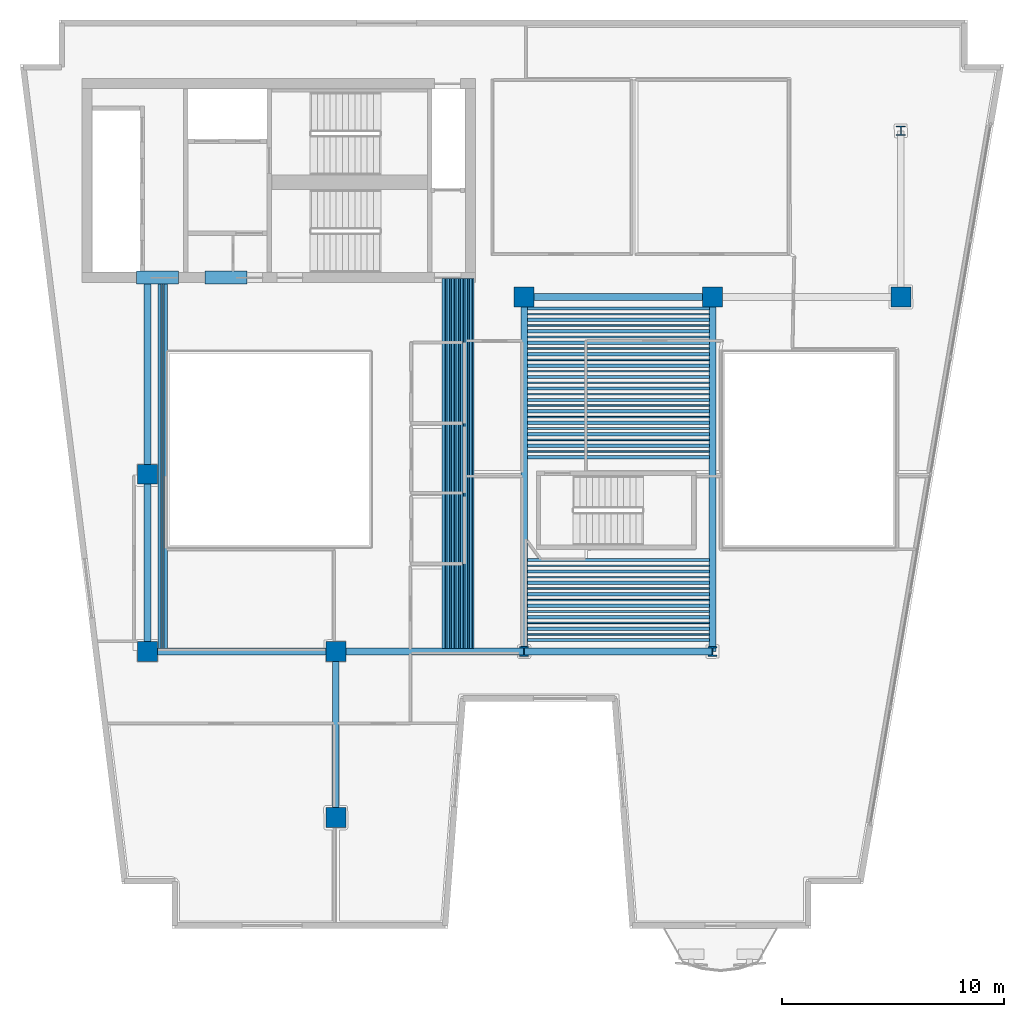
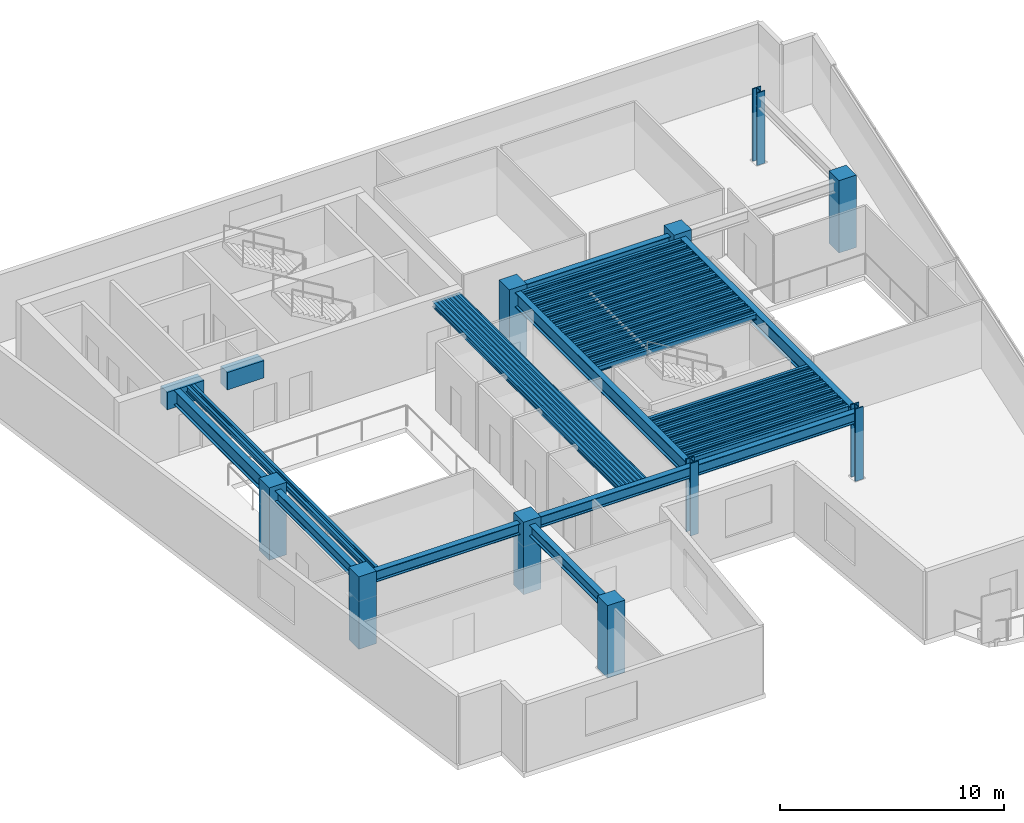
# One storey, part 1 of 10: 70 beams, 10 columns.
"""IFC4 building model written with IfcOpenShell, lengths in metres."""

from ifc_helpers import new_model, si_unit, direction, frame, origin, origin_2d, place, context, subcontext, project, spatial, rectangle, hollow_rectangle, i_section, extrude, material, material_profile, profile_set, type_object, element, save


model = new_model("IFC4")

# Units and contexts
model_context = context("Model", 3, precision=1e-05, world=origin(), true_north=direction((0.0, 1.0)))
body_context = subcontext(model_context, "Body", "Model", "MODEL_VIEW")
ifc_project = project(units=[si_unit("LENGTHUNIT", "METRE"), si_unit("AREAUNIT", "SQUARE_METRE"), si_unit("VOLUMEUNIT", "CUBIC_METRE"), si_unit("PLANEANGLEUNIT", "RADIAN"), si_unit("MASSUNIT", "GRAM", prefix="KILO")], contexts=[model_context])

# Site, building, storey
site_placement = place(None, origin())
site = spatial("IfcSite", under=ifc_project, at=site_placement, CompositionType="ELEMENT")
building_placement = place(site_placement, origin())
building = spatial("IfcBuilding", under=site, at=building_placement, Name="Caeloran Harvest Quay", CompositionType="ELEMENT")
storey_placement = place(building_placement, frame((0.0, 0.0, 191.64990234375)))
storey = spatial("IfcBuildingStorey", under=building, at=storey_placement, Name="L45", CompositionType="ELEMENT", Elevation=191.64990234375)

# Columns
ifc_material_1 = material(Name="Concrete C60/75", Category="concrete")
ifc_material_profile_1 = material_profile(ifc_material_1, rectangle(XDim=0.89990234375, YDim=0.89990234375, at=origin_2d()), Name="RC 900x900")
ifc_profile_set_1 = profile_set([ifc_material_profile_1], Name="Concrete C60/75")
column_type_1 = type_object("IfcColumnType", Name="COL-MC-4-RC_900x900", PredefinedType="COLUMN", material=ifc_profile_set_1)
for number, where, z_axis, x_axis, name in (
    (1, (8.5, 15.0, 0.0), (0.0, 0.0, 1.0), (1.0, 0.0, 0.0), "L45 Structural Column (8.5, 15.0)"),
    (2, (8.5, 23.0, 0.0), (0.0, 0.0, 1.0), (1.0, 0.0, 0.0), "L45 Structural Column (8.5, 23.0)"),
    (3, (17.0, 7.5, 0.0), (0.0, 0.0, 1.0), (1.0, 0.0, 0.0), "L45 Structural Column (17.0, 7.5)"),
    (4, (17.0, 15.0, 0.0), (0.0, 0.0, 1.0), (1.0, 0.0, 0.0), "L45 Structural Column (17.0, 15.0)"),
    (5, (25.5, 31.0, 0.0), (0.0, 0.0, 1.0), (1.0, 0.0, 0.0), "L45 Structural Column (25.5, 31.0)"),
    (6, (34.0, 31.0, 0.0), (0.0, 0.0, 1.0), (1.0, 0.0, 0.0), "L45 Structural Column (34.0, 31.0)"),
    (7, (42.5, 31.0, 0.0), (0.0, 0.0, 1.0), (1.0, 0.0, 0.0), "L45 Structural Column (42.5, 31.0)"),
):
    element("IfcColumn", number, at=place(storey_placement, frame(where, z_axis=z_axis, x_axis=x_axis)), inside=storey, type_object=column_type_1, Name=name, PredefinedType="COLUMN", context=body_context, shape_type="SweptSolid", body=[
        extrude(rectangle(XDim=0.89990234375, YDim=0.89990234375, at=origin_2d()), origin(), (0.0, 0.0, 1.0), 3.9501953125),
    ])
ifc_material_2 = material(Name="Steel HISTAR 460", Category="steel")
ifc_material_profile_2 = material_profile(ifc_material_2, i_section(OverallWidth=0.416015625, OverallDepth=0.446044921875, WebThickness=0.0390625, FlangeThickness=0.062744140625, FilletRadius=0.014892578125, at=origin_2d()), Name="HD 400x509")
ifc_profile_set_2 = profile_set([ifc_material_profile_2], Name="Steel HISTAR 460")
column_type_2 = type_object("IfcColumnType", Name="COL-SC-4-HD_400x509", PredefinedType="COLUMN", material=ifc_profile_set_2)
for number, where, z_axis, x_axis, name in (
    (8, (25.5, 15.0, 0.0), (0.0, 0.0, 1.0), (1.0, 0.0, 0.0), "L45 Structural Column (25.5, 15.0)"),
    (9, (34.0, 15.0, 0.0), (0.0, 0.0, 1.0), (1.0, 0.0, 0.0), "L45 Structural Column (34.0, 15.0)"),
    (10, (42.5, 38.5, 0.0), (0.0, 0.0, 1.0), (1.0, 0.0, 0.0), "L45 Structural Column (42.5, 38.5)"),
):
    element("IfcColumn", number, at=place(storey_placement, frame(where, z_axis=z_axis, x_axis=x_axis)), inside=storey, type_object=column_type_2, Name=name, PredefinedType="COLUMN", context=body_context, shape_type="SweptSolid", body=[
        extrude(i_section(OverallWidth=0.416015625, OverallDepth=0.446044921875, WebThickness=0.0390625, FlangeThickness=0.062744140625, FilletRadius=0.014892578125, at=origin_2d()), origin(), (0.0, 0.0, 1.0), 3.9501953125),
    ])

# Beams
ifc_material_profile_3 = material_profile(ifc_material_1, rectangle(XDim=0.60009765625, YDim=0.949951171875, at=origin_2d()), Name="RC 600x950")
ifc_profile_set_3 = profile_set([ifc_material_profile_3], Name="Concrete C60/75")
beam_type_1 = type_object("IfcBeamType", Name="BM-CB-2-RC_600x950", PredefinedType="LINTEL", material=ifc_profile_set_3)
for number, where, z_axis, x_axis, name in (
    (11, (8.0, 31.875, 3.22509765625), (1.0, 0.0, 0.0), (0.0, 1.0, 0.0), "L45 Core Coupling Beam 1"),
    (12, (11.10009765625, 31.875, 3.22509765625), (1.0, 0.0, 0.0), (0.0, 1.0, 0.0), "L45 Core Coupling Beam 2"),
):
    element("IfcBeam", number, at=place(storey_placement, frame(where, z_axis=z_axis, x_axis=x_axis)), inside=storey, type_object=beam_type_1, Name=name, PredefinedType="LINTEL", context=body_context, shape_type="SweptSolid", body=[
        extrude(rectangle(XDim=0.60009765625, YDim=0.949951171875, at=origin_2d()), origin(), (0.0, 0.0, 1.0), 1.89990234375),
    ])
ifc_material_3 = material(Name="Steel S355J2", Category="steel")
ifc_material_profile_4 = material_profile(ifc_material_3, i_section(OverallWidth=0.300048828125, OverallDepth=0.800048828125, WebThickness=0.017578125, FlangeThickness=0.032958984375, FilletRadius=0.030029296875, at=origin_2d()), Name="HE 800 B")
ifc_profile_set_4 = profile_set([ifc_material_profile_4], Name="Steel S355J2")
beam_type_2 = type_object("IfcBeamType", Name="BM-PG-1-HE_800_B", PredefinedType="BEAM", material=ifc_profile_set_4)
beam_1_placement = place(storey_placement, frame((8.5, 23.0, 3.300048828125), z_axis=(0.0, 1.0, 0.0), x_axis=(-1.0, 0.0, 0.0)))
element("IfcBeam", 13, at=beam_1_placement, inside=storey, type_object=beam_type_2, Name="L45 Core South Tie Girder X=8.5", PredefinedType="BEAM", context=body_context, shape_type="SweptSolid", body=[
    extrude(i_section(OverallWidth=0.300048828125, OverallDepth=0.800048828125, WebThickness=0.017578125, FlangeThickness=0.032958984375, FilletRadius=0.030029296875, at=origin_2d()), origin(), (0.0, 0.0, 1.0), 8.824951171875),
])
for number, where, z_axis, x_axis, name in (
    (14, (25.5, 15.0, 3.300048828125), (0.0, 1.0, 0.0), (-1.0, 0.0, 0.0), "L45 Primary North-South Girder X=25.5"),
    (15, (34.0, 15.0, 3.300048828125), (0.0, 1.0, 0.0), (-1.0, 0.0, 0.0), "L45 Primary North-South Girder X=34.0"),
):
    element("IfcBeam", number, at=place(storey_placement, frame(where, z_axis=z_axis, x_axis=x_axis)), inside=storey, type_object=beam_type_2, Name=name, PredefinedType="BEAM", context=body_context, shape_type="SweptSolid", body=[
        extrude(i_section(OverallWidth=0.300048828125, OverallDepth=0.800048828125, WebThickness=0.017578125, FlangeThickness=0.032958984375, FilletRadius=0.030029296875, at=origin_2d()), origin(), (0.0, 0.0, 1.0), 16.0),
    ])
ifc_material_profile_5 = material_profile(ifc_material_3, i_section(OverallWidth=0.300048828125, OverallDepth=0.60009765625, WebThickness=0.015380859375, FlangeThickness=0.030029296875, FilletRadius=0.027099609375, at=origin_2d()), Name="HE 600 B")
ifc_profile_set_5 = profile_set([ifc_material_profile_5], Name="Steel S355J2")
beam_type_3 = type_object("IfcBeamType", Name="BM-PG-3-HE_600_B", PredefinedType="BEAM", material=ifc_profile_set_5)
for number, where, z_axis, x_axis, name in (
    (16, (8.5, 15.0, 3.400146484375), (1.0, 0.0, 0.0), (0.0, 1.0, 0.0), "L45 Primary East-West Girder Y=15.0"),
    (17, (17.0, 15.0, 3.400146484375), (1.0, 0.0, 0.0), (0.0, 1.0, 0.0), "L45 Primary East-West Girder Y=15.0"),
    (18, (25.5, 15.0, 3.400146484375), (1.0, 0.0, 0.0), (0.0, 1.0, 0.0), "L45 Primary East-West Girder Y=15.0"),
    (19, (25.5, 31.0, 3.400146484375), (1.0, 0.0, 0.0), (0.0, 1.0, 0.0), "L45 Primary East-West Girder Y=31.0"),
):
    element("IfcBeam", number, at=place(storey_placement, frame(where, z_axis=z_axis, x_axis=x_axis)), inside=storey, type_object=beam_type_3, Name=name, PredefinedType="BEAM", context=body_context, shape_type="SweptSolid", body=[
        extrude(i_section(OverallWidth=0.300048828125, OverallDepth=0.60009765625, WebThickness=0.015380859375, FlangeThickness=0.030029296875, FilletRadius=0.027099609375, at=origin_2d()), origin(), (0.0, 0.0, 1.0), 8.5),
    ])
beam_2_placement = place(storey_placement, frame((8.5, 15.0, 3.400146484375), z_axis=(0.0, 1.0, 0.0), x_axis=(-1.0, 0.0, 0.0)))
element("IfcBeam", 20, at=beam_2_placement, inside=storey, type_object=beam_type_3, Name="L45 Primary North-South Girder X=8.5", PredefinedType="BEAM", context=body_context, shape_type="SweptSolid", body=[
    extrude(i_section(OverallWidth=0.300048828125, OverallDepth=0.60009765625, WebThickness=0.015380859375, FlangeThickness=0.030029296875, FilletRadius=0.027099609375, at=origin_2d()), origin(), (0.0, 0.0, 1.0), 8.0),
])
beam_3_placement = place(storey_placement, frame((17.0, 7.5, 3.400146484375), z_axis=(0.0, 1.0, 0.0), x_axis=(-1.0, 0.0, 0.0)))
element("IfcBeam", 21, at=beam_3_placement, inside=storey, type_object=beam_type_3, Name="L45 Primary North-South Girder X=17.0", PredefinedType="BEAM", context=body_context, shape_type="SweptSolid", body=[
    extrude(i_section(OverallWidth=0.300048828125, OverallDepth=0.60009765625, WebThickness=0.015380859375, FlangeThickness=0.030029296875, FilletRadius=0.027099609375, at=origin_2d()), origin(), (0.0, 0.0, 1.0), 7.5),
])
ifc_material_profile_6 = material_profile(ifc_material_3, i_section(OverallWidth=0.14990234375, OverallDepth=0.300048828125, WebThickness=0.007080078125, FlangeThickness=0.0107421875, FilletRadius=0.014892578125, at=origin_2d()), Name="IPE 300")
ifc_profile_set_6 = profile_set([ifc_material_profile_6], Name="Steel S355J2")
beam_type_4 = type_object("IfcBeamType", Name="BM-SB-6-IPE_300", PredefinedType="JOIST", material=ifc_profile_set_6)
for number, where, z_axis, x_axis, name in (
    (22, (9.04833984375, 15.14501953125, 3.550048828125), (0.0, 1.0, 0.0), (-1.0, 0.0, 0.0), "L45 Secondary Composite Joist"),
    (23, (9.322509765625, 15.14501953125, 3.550048828125), (0.0, 1.0, 0.0), (-1.0, 0.0, 0.0), "L45 Secondary Composite Joist"),
    (24, (21.87744140625, 15.14501953125, 3.550048828125), (0.0, 1.0, 0.0), (-1.0, 0.0, 0.0), "L45 Secondary Composite Joist"),
    (25, (22.08056640625, 15.14501953125, 3.550048828125), (0.0, 1.0, 0.0), (-1.0, 0.0, 0.0), "L45 Secondary Composite Joist"),
    (26, (22.283935546875, 15.14501953125, 3.550048828125), (0.0, 1.0, 0.0), (-1.0, 0.0, 0.0), "L45 Secondary Composite Joist"),
    (27, (22.487060546875, 15.14501953125, 3.550048828125), (0.0, 1.0, 0.0), (-1.0, 0.0, 0.0), "L45 Secondary Composite Joist"),
    (28, (22.690185546875, 15.14501953125, 3.550048828125), (0.0, 1.0, 0.0), (-1.0, 0.0, 0.0), "L45 Secondary Composite Joist"),
    (29, (22.8935546875, 15.14501953125, 3.550048828125), (0.0, 1.0, 0.0), (-1.0, 0.0, 0.0), "L45 Secondary Composite Joist"),
    (30, (23.0966796875, 15.14501953125, 3.550048828125), (0.0, 1.0, 0.0), (-1.0, 0.0, 0.0), "L45 Secondary Composite Joist"),
):
    element("IfcBeam", number, at=place(storey_placement, frame(where, z_axis=z_axis, x_axis=x_axis)), inside=storey, type_object=beam_type_4, Name=name, PredefinedType="JOIST", context=body_context, shape_type="SweptSolid", body=[
        extrude(i_section(OverallWidth=0.14990234375, OverallDepth=0.300048828125, WebThickness=0.007080078125, FlangeThickness=0.0107421875, FilletRadius=0.014892578125, at=origin_2d()), origin(), (0.0, 0.0, 1.0), 16.679931640625),
    ])
for number, where, z_axis, x_axis, name in (
    (31, (25.64501953125, 15.51611328125, 3.550048828125), (1.0, 0.0, 0.0), (0.0, 1.0, 0.0), "L45 Secondary East-West Composite Joist"),
    (32, (25.64501953125, 16.0322265625, 3.550048828125), (1.0, 0.0, 0.0), (0.0, 1.0, 0.0), "L45 Secondary East-West Composite Joist"),
    (33, (25.64501953125, 16.54833984375, 3.550048828125), (1.0, 0.0, 0.0), (0.0, 1.0, 0.0), "L45 Secondary East-West Composite Joist"),
    (34, (25.64501953125, 17.064453125, 3.550048828125), (1.0, 0.0, 0.0), (0.0, 1.0, 0.0), "L45 Secondary East-West Composite Joist"),
    (35, (25.64501953125, 17.58056640625, 3.550048828125), (1.0, 0.0, 0.0), (0.0, 1.0, 0.0), "L45 Secondary East-West Composite Joist"),
    (36, (25.64501953125, 18.0966796875, 3.550048828125), (1.0, 0.0, 0.0), (0.0, 1.0, 0.0), "L45 Secondary East-West Composite Joist"),
    (37, (25.64501953125, 18.61279296875, 3.550048828125), (1.0, 0.0, 0.0), (0.0, 1.0, 0.0), "L45 Secondary East-West Composite Joist"),
    (38, (25.64501953125, 19.12890625, 3.550048828125), (1.0, 0.0, 0.0), (0.0, 1.0, 0.0), "L45 Secondary East-West Composite Joist"),
    (39, (25.64501953125, 23.774169921875, 3.550048828125), (1.0, 0.0, 0.0), (0.0, 1.0, 0.0), "L45 Secondary East-West Composite Joist"),
    (40, (25.64501953125, 24.290283203125, 3.550048828125), (1.0, 0.0, 0.0), (0.0, 1.0, 0.0), "L45 Secondary East-West Composite Joist"),
    (41, (25.64501953125, 24.806396484375, 3.550048828125), (1.0, 0.0, 0.0), (0.0, 1.0, 0.0), "L45 Secondary East-West Composite Joist"),
    (42, (25.64501953125, 25.322509765625, 3.550048828125), (1.0, 0.0, 0.0), (0.0, 1.0, 0.0), "L45 Secondary East-West Composite Joist"),
    (43, (25.64501953125, 25.838623046875, 3.550048828125), (1.0, 0.0, 0.0), (0.0, 1.0, 0.0), "L45 Secondary East-West Composite Joist"),
    (44, (25.64501953125, 26.354736328125, 3.550048828125), (1.0, 0.0, 0.0), (0.0, 1.0, 0.0), "L45 Secondary East-West Composite Joist"),
    (45, (25.64501953125, 26.87109375, 3.550048828125), (1.0, 0.0, 0.0), (0.0, 1.0, 0.0), "L45 Secondary East-West Composite Joist"),
    (46, (25.64501953125, 27.38720703125, 3.550048828125), (1.0, 0.0, 0.0), (0.0, 1.0, 0.0), "L45 Secondary East-West Composite Joist"),
    (47, (25.64501953125, 27.9033203125, 3.550048828125), (1.0, 0.0, 0.0), (0.0, 1.0, 0.0), "L45 Secondary East-West Composite Joist"),
    (48, (25.64501953125, 28.41943359375, 3.550048828125), (1.0, 0.0, 0.0), (0.0, 1.0, 0.0), "L45 Secondary East-West Composite Joist"),
    (49, (25.64501953125, 28.935546875, 3.550048828125), (1.0, 0.0, 0.0), (0.0, 1.0, 0.0), "L45 Secondary East-West Composite Joist"),
    (50, (25.64501953125, 29.45166015625, 3.550048828125), (1.0, 0.0, 0.0), (0.0, 1.0, 0.0), "L45 Secondary East-West Composite Joist"),
    (51, (25.64501953125, 29.9677734375, 3.550048828125), (1.0, 0.0, 0.0), (0.0, 1.0, 0.0), "L45 Secondary East-West Composite Joist"),
    (52, (25.64501953125, 30.48388671875, 3.550048828125), (1.0, 0.0, 0.0), (0.0, 1.0, 0.0), "L45 Secondary East-West Composite Joist"),
):
    element("IfcBeam", number, at=place(storey_placement, frame(where, z_axis=z_axis, x_axis=x_axis)), inside=storey, type_object=beam_type_4, Name=name, PredefinedType="JOIST", context=body_context, shape_type="SweptSolid", body=[
        extrude(i_section(OverallWidth=0.14990234375, OverallDepth=0.300048828125, WebThickness=0.007080078125, FlangeThickness=0.0107421875, FilletRadius=0.014892578125, at=origin_2d()), origin(), (0.0, 0.0, 1.0), 8.2099609375),
    ])
ifc_material_profile_7 = material_profile(ifc_material_3, hollow_rectangle(XDim=0.080078125, YDim=0.199951171875, WallThickness=0.006103515625, InnerFilletRadius=0.006103515625, OuterFilletRadius=0.009033203125, at=origin_2d()), Name="RHS 200x80x6")
ifc_profile_set_7 = profile_set([ifc_material_profile_7], Name="Steel S355J2")
beam_type_5 = type_object("IfcBeamType", Name="BM-SB-7-RHS_200x80x6", PredefinedType="JOIST", material=ifc_profile_set_7)
for number, where, z_axis, x_axis, name in (
    (53, (9.185546875, 15.14501953125, 3.60009765625), (0.0, 1.0, 0.0), (-1.0, 0.0, 0.0), "L45 Secondary Composite Joist"),
    (54, (21.97900390625, 15.14501953125, 3.60009765625), (0.0, 1.0, 0.0), (-1.0, 0.0, 0.0), "L45 Secondary Composite Joist"),
    (55, (22.182373046875, 15.14501953125, 3.60009765625), (0.0, 1.0, 0.0), (-1.0, 0.0, 0.0), "L45 Secondary Composite Joist"),
    (56, (22.385498046875, 15.14501953125, 3.60009765625), (0.0, 1.0, 0.0), (-1.0, 0.0, 0.0), "L45 Secondary Composite Joist"),
    (57, (22.588623046875, 15.14501953125, 3.60009765625), (0.0, 1.0, 0.0), (-1.0, 0.0, 0.0), "L45 Secondary Composite Joist"),
    (58, (22.7919921875, 15.14501953125, 3.60009765625), (0.0, 1.0, 0.0), (-1.0, 0.0, 0.0), "L45 Secondary Composite Joist"),
    (59, (22.9951171875, 15.14501953125, 3.60009765625), (0.0, 1.0, 0.0), (-1.0, 0.0, 0.0), "L45 Secondary Composite Joist"),
    (60, (23.198486328125, 15.14501953125, 3.60009765625), (0.0, 1.0, 0.0), (-1.0, 0.0, 0.0), "L45 Secondary Composite Joist"),
):
    element("IfcBeam", number, at=place(storey_placement, frame(where, z_axis=z_axis, x_axis=x_axis)), inside=storey, type_object=beam_type_5, Name=name, PredefinedType="JOIST", context=body_context, shape_type="SweptSolid", body=[
        extrude(hollow_rectangle(XDim=0.080078125, YDim=0.199951171875, WallThickness=0.006103515625, InnerFilletRadius=0.006103515625, OuterFilletRadius=0.009033203125, at=origin_2d()), origin(), (0.0, 0.0, 1.0), 16.679931640625),
    ])
for number, where, z_axis, x_axis, name in (
    (61, (25.64501953125, 15.774169921875, 3.60009765625), (1.0, 0.0, 0.0), (0.0, 1.0, 0.0), "L45 Secondary East-West Composite Joist"),
    (62, (25.64501953125, 16.290283203125, 3.60009765625), (1.0, 0.0, 0.0), (0.0, 1.0, 0.0), "L45 Secondary East-West Composite Joist"),
    (63, (25.64501953125, 16.806396484375, 3.60009765625), (1.0, 0.0, 0.0), (0.0, 1.0, 0.0), "L45 Secondary East-West Composite Joist"),
    (64, (25.64501953125, 17.322509765625, 3.60009765625), (1.0, 0.0, 0.0), (0.0, 1.0, 0.0), "L45 Secondary East-West Composite Joist"),
    (65, (25.64501953125, 17.838623046875, 3.60009765625), (1.0, 0.0, 0.0), (0.0, 1.0, 0.0), "L45 Secondary East-West Composite Joist"),
    (66, (25.64501953125, 18.354736328125, 3.60009765625), (1.0, 0.0, 0.0), (0.0, 1.0, 0.0), "L45 Secondary East-West Composite Joist"),
    (67, (25.64501953125, 18.87109375, 3.60009765625), (1.0, 0.0, 0.0), (0.0, 1.0, 0.0), "L45 Secondary East-West Composite Joist"),
    (68, (25.64501953125, 24.0322265625, 3.60009765625), (1.0, 0.0, 0.0), (0.0, 1.0, 0.0), "L45 Secondary East-West Composite Joist"),
    (69, (25.64501953125, 24.54833984375, 3.60009765625), (1.0, 0.0, 0.0), (0.0, 1.0, 0.0), "L45 Secondary East-West Composite Joist"),
    (70, (25.64501953125, 25.064453125, 3.60009765625), (1.0, 0.0, 0.0), (0.0, 1.0, 0.0), "L45 Secondary East-West Composite Joist"),
    (71, (25.64501953125, 25.58056640625, 3.60009765625), (1.0, 0.0, 0.0), (0.0, 1.0, 0.0), "L45 Secondary East-West Composite Joist"),
    (72, (25.64501953125, 26.0966796875, 3.60009765625), (1.0, 0.0, 0.0), (0.0, 1.0, 0.0), "L45 Secondary East-West Composite Joist"),
    (73, (25.64501953125, 26.61279296875, 3.60009765625), (1.0, 0.0, 0.0), (0.0, 1.0, 0.0), "L45 Secondary East-West Composite Joist"),
    (74, (25.64501953125, 27.12890625, 3.60009765625), (1.0, 0.0, 0.0), (0.0, 1.0, 0.0), "L45 Secondary East-West Composite Joist"),
    (75, (25.64501953125, 27.645263671875, 3.60009765625), (1.0, 0.0, 0.0), (0.0, 1.0, 0.0), "L45 Secondary East-West Composite Joist"),
    (76, (25.64501953125, 28.161376953125, 3.60009765625), (1.0, 0.0, 0.0), (0.0, 1.0, 0.0), "L45 Secondary East-West Composite Joist"),
    (77, (25.64501953125, 28.677490234375, 3.60009765625), (1.0, 0.0, 0.0), (0.0, 1.0, 0.0), "L45 Secondary East-West Composite Joist"),
    (78, (25.64501953125, 29.193603515625, 3.60009765625), (1.0, 0.0, 0.0), (0.0, 1.0, 0.0), "L45 Secondary East-West Composite Joist"),
    (79, (25.64501953125, 29.709716796875, 3.60009765625), (1.0, 0.0, 0.0), (0.0, 1.0, 0.0), "L45 Secondary East-West Composite Joist"),
    (80, (25.64501953125, 30.225830078125, 3.60009765625), (1.0, 0.0, 0.0), (0.0, 1.0, 0.0), "L45 Secondary East-West Composite Joist"),
):
    element("IfcBeam", number, at=place(storey_placement, frame(where, z_axis=z_axis, x_axis=x_axis)), inside=storey, type_object=beam_type_5, Name=name, PredefinedType="JOIST", context=body_context, shape_type="SweptSolid", body=[
        extrude(hollow_rectangle(XDim=0.080078125, YDim=0.199951171875, WallThickness=0.006103515625, InnerFilletRadius=0.006103515625, OuterFilletRadius=0.009033203125, at=origin_2d()), origin(), (0.0, 0.0, 1.0), 8.2099609375),
    ])

save(model, "model.ifc")
